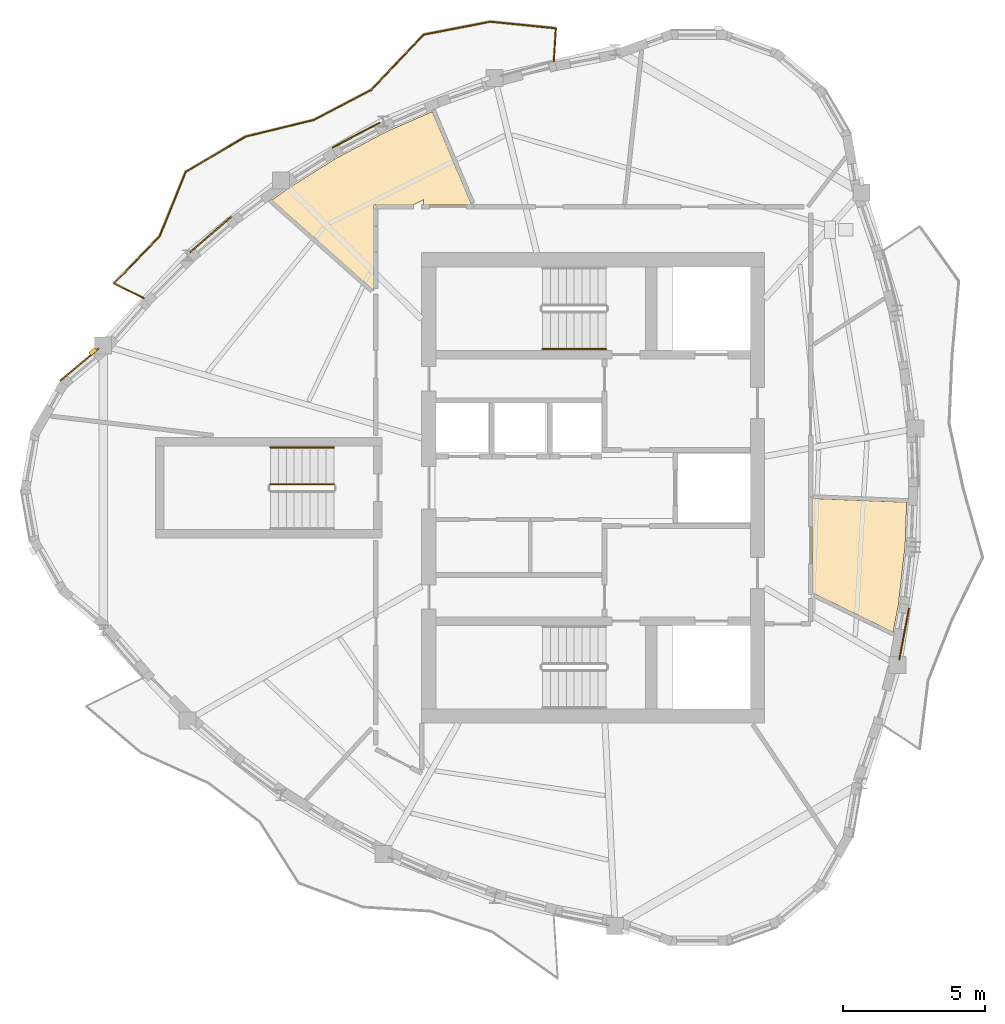
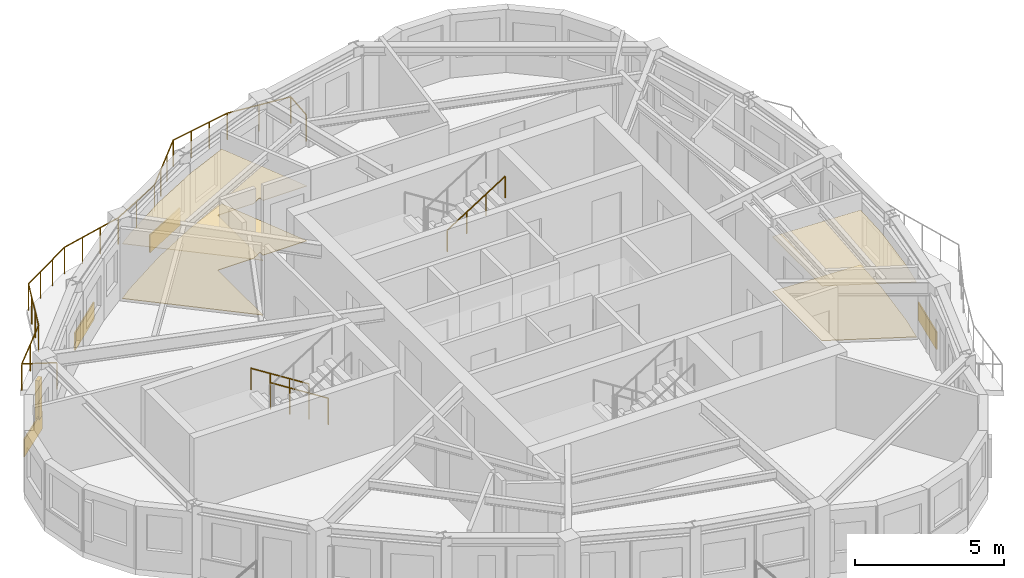
# One storey, part 9 of 11: 8 coverings, 4 railings, 1 shading device.
"""IFC4 building model written with IfcOpenShell, lengths in metres."""

from ifc_helpers import new_model, si_unit, direction, frame, origin, origin_2d, place, context, subcontext, project, spatial, polyline, rectangle, circle, outline, extrude, source, transform, mapped, material, layer, layer_set, type_object, element, save


model = new_model("IFC4")

# Units and contexts
model_context = context("Model", 3, precision=1e-05, world=origin(), true_north=direction((0.0, 1.0)))
body_context = subcontext(model_context, "Body", "Model", "MODEL_VIEW")
ifc_project = project(units=[si_unit("LENGTHUNIT", "METRE"), si_unit("AREAUNIT", "SQUARE_METRE"), si_unit("VOLUMEUNIT", "CUBIC_METRE"), si_unit("PLANEANGLEUNIT", "RADIAN"), si_unit("MASSUNIT", "GRAM", prefix="KILO")], contexts=[model_context])

# Site, building, storey
site_placement = place(None, origin())
site = spatial("IfcSite", under=ifc_project, at=site_placement, CompositionType="ELEMENT")
building_placement = place(site_placement, origin())
building = spatial("IfcBuilding", under=site, at=building_placement, Name="Qafzar Sky-Pleat Residences", CompositionType="ELEMENT")
storey_placement = place(building_placement, frame((0.0, 0.0, 230.800048828125)))
storey = spatial("IfcBuildingStorey", under=building, at=storey_placement, Name="L69", CompositionType="ELEMENT", Elevation=230.800048828125)

# Coverings
ifc_material_1 = material(Name="Perforated acoustic gypsum board ceiling")
ifc_layer_1 = layer(ifc_material_1, 0.02001953125)
ifc_layer_set_1 = layer_set([ifc_layer_1], Name="Perforated acoustic gypsum board ceiling")
covering_type_1 = type_object("IfcCoveringType", Name="COV-CEIL-ACOUSTIC", PredefinedType="CEILING", material=ifc_layer_set_1)
covering_1_placement = place(storey_placement, frame((0.0, 0.0, 2.239990234375)))
element("IfcCovering", 1, at=covering_1_placement, inside=storey, type_object=covering_type_1, Name="L69 Co-Living Lounge Acoustic Ceiling", PredefinedType="CEILING", context=body_context, shape_type="SweptSolid", body=[
    extrude(outline(polyline([(19.53955078125, 36.53759765625), (21.282958984375, 37.634521484375), (23.1044921875, 38.595703125), (24.669677734375, 39.276123046875), (26.063720703125, 35.97998046875), (24.360107421875, 35.97998046875), (24.360107421875, 36.17138671875), (23.997314453125, 35.97998046875), (22.6201171875, 35.97998046875), (22.6201171875, 32.951171875), (19.018798828125, 36.152099609375), (19.53955078125, 36.53759765625)])), origin(), (0.0, 0.0, 1.0), 0.02001953125),
])
covering_2_placement = place(storey_placement, frame((0.0, 0.0, 2.239990234375)))
element("IfcCovering", 2, at=covering_2_placement, inside=storey, type_object=covering_type_1, Name="L69 Communal Kitchen Acoustic Ceiling", PredefinedType="CEILING", context=body_context, shape_type="SweptSolid", body=[
    extrude(outline(polyline([(41.35595703125, 23.941650390625), (41.12109375, 21.883056640625), (40.935791015625, 20.906982421875), (38.080078125, 22.299072265625), (38.080078125, 25.626220703125), (41.414794921875, 25.49072265625), (41.35595703125, 23.941650390625)])), origin(), (0.0, 0.0, 1.0), 0.02001953125),
])
ifc_material_2 = material(Name="Honed porcelain and Riyadh stone tile flooring", Category="masonry")
ifc_layer_2 = layer(ifc_material_2, 0.02001953125)
ifc_layer_set_2 = layer_set([ifc_layer_2], Name="Honed porcelain and Riyadh stone tile flooring")
covering_type_2 = type_object("IfcCoveringType", Name="COV-FLR-PORCELAIN", PredefinedType="FLOORING", material=ifc_layer_set_2)
covering_3_placement = place(storey_placement, origin())
element("IfcCovering", 3, at=covering_3_placement, inside=storey, type_object=covering_type_2, Name="L69 Co-Living Lounge Honed Stone Flooring", PredefinedType="FLOORING", context=body_context, shape_type="SweptSolid", body=[
    extrude(outline(polyline([(19.53955078125, 36.53759765625), (21.282958984375, 37.634521484375), (23.1044921875, 38.595703125), (24.669677734375, 39.276123046875), (26.063720703125, 35.97998046875), (24.360107421875, 35.97998046875), (24.360107421875, 36.17138671875), (23.997314453125, 35.97998046875), (22.6201171875, 35.97998046875), (22.6201171875, 32.951171875), (19.018798828125, 36.152099609375), (19.53955078125, 36.53759765625)])), origin(), (0.0, 0.0, 1.0), 0.02001953125),
])
covering_4_placement = place(storey_placement, origin())
element("IfcCovering", 4, at=covering_4_placement, inside=storey, type_object=covering_type_2, Name="L69 Communal Kitchen Honed Stone Flooring", PredefinedType="FLOORING", context=body_context, shape_type="SweptSolid", body=[
    extrude(outline(polyline([(41.35595703125, 23.941650390625), (41.12109375, 21.883056640625), (40.935791015625, 20.906982421875), (38.080078125, 22.299072265625), (38.080078125, 25.626220703125), (41.414794921875, 25.49072265625), (41.35595703125, 23.941650390625)])), origin(), (0.0, 0.0, 1.0), 0.02001953125),
])

# Shading device
ifc_material_3 = material(Name="Honed Riyadh limestone solar fin", Category="masonry")
ifc_layer_3 = layer(ifc_material_3, 0.139892578125)
ifc_layer_set_3 = layer_set([ifc_layer_3], Name="Honed Riyadh limestone solar fin")
shading_device_type = type_object("IfcShadingDeviceType", Name="SHD-FIN-STONE", PredefinedType="SHUTTER", material=ifc_layer_set_3)
shared_shape_1 = source(origin(), body_context, "Body", "SweptSolid", [
    extrude(rectangle(XDim=0.139892578125, YDim=0.280029296875, at=origin_2d()), origin(), (0.0, 0.0, 1.0), 1.60009765625),
])
shading_device_placement = place(storey_placement, frame((12.6982421875, 30.808349609375, 0.599853515625), z_axis=(0.0, 0.0, 1.0), x_axis=(-0.642754210861, 0.76607246682, 0.0)))
element("IfcShadingDevice", 5, at=shading_device_placement, inside=storey, type_object=shading_device_type, Name="L69 Limestone Solar Fin 1", PredefinedType="SHUTTER", context=body_context, shape_type="MappedRepresentation", body=[
    mapped(shared_shape_1, transform((0.0, 0.0, 0.0), x_axis=(1.0, 0.0, 0.0), y_axis=(0.0, 1.0, 0.0), z_axis=(0.0, 0.0, 1.0), scale=1.0)),
])

# Covering
ifc_material_4 = material(Name="Honed Riyadh Tuwaiq limestone cladding", Category="masonry")
ifc_layer_4 = layer(ifc_material_4, 0.044921875)
ifc_layer_set_4 = layer_set([ifc_layer_4], Name="Honed Riyadh Tuwaiq limestone cladding")
covering_type_3 = type_object("IfcCoveringType", Name="COV-CLAD-STONE", PredefinedType="CLADDING", material=ifc_layer_set_4)
shared_shape_2 = source(origin(), body_context, "Body", "SweptSolid", [
    extrude(rectangle(XDim=1.76611328125, YDim=0.044921875, at=origin_2d()), origin(), (0.0, 0.0, 1.0), 0.719970703125),
])
covering_5_placement = place(storey_placement, frame((12.22021484375, 30.351318359375, 0.02001953125), z_axis=(0.0, 0.0, 1.0), x_axis=(-0.76607417096, -0.642752179762, 0.0)))
element("IfcCovering", 6, at=covering_5_placement, inside=storey, type_object=covering_type_3, Name="L69 Riyadh Limestone Spandrel Cladding 1", PredefinedType="CLADDING", context=body_context, shape_type="MappedRepresentation", body=[
    mapped(shared_shape_2, transform((0.0, 0.0, 0.0), x_axis=(1.0, 0.0, 0.0), y_axis=(0.0, 1.0, 0.0), z_axis=(0.0, 0.0, 1.0), scale=1.0)),
])

# Railing
ifc_material_5 = material(Name="Laminated glass and bronze steel balustrade", Category="steel")
railing_type_1 = type_object("IfcRailingType", Name="RAIL-BAL-1100", PredefinedType="BALUSTRADE", material=ifc_material_5)
shared_shape_3 = source(origin(), body_context, "Body", "SweptSolid", [
    extrude(circle(Radius=0.02392578125, at=origin_2d()), frame((0.0, 0.0, 1.076171875), z_axis=(0.063836302809, 0.997960383203, 0.0), x_axis=(-0.997960383203, 0.063836302809, 0.0)), (0.0, 0.0, 1.0), 1.177978515625),
    extrude(circle(Radius=0.02392578125, at=origin_2d()), frame((0.0751953125, 1.175537109375, 1.076171875), z_axis=(-0.994932736042, 0.10054278071, 0.0), x_axis=(-0.10054278071, -0.994932736042, 0.0)), (0.0, 0.0, 1.0), 2.326171875),
    extrude(circle(Radius=0.02392578125, at=origin_2d()), frame((-2.2392578125, 1.409423828125, 1.076171875), z_axis=(-0.981652948308, -0.190676398848, 0.0), x_axis=(0.190676398848, -0.981652948308, 0.0)), (0.0, 0.0, 1.0), 2.400634765625),
    extrude(circle(Radius=0.02392578125, at=origin_2d()), frame((-4.595947265625, 0.95166015625, 1.076171875), z_axis=(-0.687908056889, -0.725797840495, 0.0), x_axis=(0.725797840495, -0.687908056889, 0.0)), (0.0, 0.0, 1.0), 2.693359375),
    extrude(circle(Radius=0.02392578125, at=origin_2d()), frame((-6.44873046875, -1.003173828125, 1.076171875), z_axis=(-0.88578094694, -0.464103559605, 0.0), x_axis=(0.464103559605, -0.88578094694, 0.0)), (0.0, 0.0, 1.0), 2.267333984375),
    extrude(circle(Radius=0.02392578125, at=origin_2d()), frame((-8.45703125, -2.055419921875, 1.076171875), z_axis=(-0.971598054586, -0.236637318117, 0.0), x_axis=(0.236637318117, -0.971598054586, 0.0)), (0.0, 0.0, 1.0), 2.4853515625),
    extrude(circle(Radius=0.02392578125, at=origin_2d()), frame((-10.871826171875, -2.6435546875, 1.076171875), z_axis=(-0.861050876523, -0.508518817783, 0.0), x_axis=(0.508518817783, -0.861050876523, 0.0)), (0.0, 0.0, 1.0), 2.4619140625),
    extrude(circle(Radius=0.02392578125, at=origin_2d()), frame((-12.99169921875, -3.8955078125, 1.076171875), z_axis=(-0.374628309725, -0.927175080312, 0.0), x_axis=(0.927175080312, -0.374628309725, 0.0)), (0.0, 0.0, 1.0), 2.442626953125),
    extrude(circle(Radius=0.02392578125, at=origin_2d()), frame((-13.90673828125, -6.16015625, 1.076171875), z_axis=(-0.695284786917, -0.718734349452, 0.0), x_axis=(0.718734349452, -0.695284786917, 0.0)), (0.0, 0.0, 1.0), 2.32177734375),
    extrude(circle(Radius=0.02392578125, at=origin_2d()), frame((-15.52099609375, -7.828857421875, 1.076171875), z_axis=(0.896038070146, -0.443977225596, 0.0), x_axis=(0.443977225596, 0.896038070146, 0.0)), (0.0, 0.0, 1.0), 1.177978515625),
    extrude(circle(Radius=0.02099609375, at=origin_2d()), origin(), (0.0, 0.0, 1.0), 1.052001953125),
    extrude(circle(Radius=0.02099609375, at=origin_2d()), frame((0.0751953125, 1.175537109375, 0.0)), (0.0, 0.0, 1.0), 1.052001953125),
    extrude(circle(Radius=0.02099609375, at=origin_2d()), frame((-1.08203125, 1.29248046875, 0.0)), (0.0, 0.0, 1.0), 1.052001953125),
    extrude(circle(Radius=0.02099609375, at=origin_2d()), frame((-2.2392578125, 1.409423828125, 0.0)), (0.0, 0.0, 1.0), 1.052001953125),
    extrude(circle(Radius=0.02099609375, at=origin_2d()), frame((-3.02490234375, 1.2568359375, 0.0)), (0.0, 0.0, 1.0), 1.052001953125),
    extrude(circle(Radius=0.02099609375, at=origin_2d()), frame((-3.810302734375, 1.104248046875, 0.0)), (0.0, 0.0, 1.0), 1.052001953125),
    extrude(circle(Radius=0.02099609375, at=origin_2d()), frame((-4.595947265625, 0.95166015625, 0.0)), (0.0, 0.0, 1.0), 1.052001953125),
    extrude(circle(Radius=0.02099609375, at=origin_2d()), frame((-5.213623046875, 0.300048828125, 0.0)), (0.0, 0.0, 1.0), 1.052001953125),
    extrude(circle(Radius=0.02099609375, at=origin_2d()), frame((-5.8310546875, -0.3515625, 0.0)), (0.0, 0.0, 1.0), 1.052001953125),
    extrude(circle(Radius=0.02099609375, at=origin_2d()), frame((-6.44873046875, -1.003173828125, 0.0)), (0.0, 0.0, 1.0), 1.052001953125),
    extrude(circle(Radius=0.02099609375, at=origin_2d()), frame((-7.452880859375, -1.529296875, 0.0)), (0.0, 0.0, 1.0), 1.052001953125),
    extrude(circle(Radius=0.02099609375, at=origin_2d()), frame((-8.45703125, -2.055419921875, 0.0)), (0.0, 0.0, 1.0), 1.052001953125),
    extrude(circle(Radius=0.02099609375, at=origin_2d()), frame((-9.261962890625, -2.25146484375, 0.0)), (0.0, 0.0, 1.0), 1.052001953125),
    extrude(circle(Radius=0.02099609375, at=origin_2d()), frame((-10.06689453125, -2.447509765625, 0.0)), (0.0, 0.0, 1.0), 1.052001953125),
    extrude(circle(Radius=0.02099609375, at=origin_2d()), frame((-10.871826171875, -2.6435546875, 0.0)), (0.0, 0.0, 1.0), 1.052001953125),
    extrude(circle(Radius=0.02099609375, at=origin_2d()), frame((-11.578369140625, -3.060791015625, 0.0)), (0.0, 0.0, 1.0), 1.052001953125),
    extrude(circle(Radius=0.02099609375, at=origin_2d()), frame((-12.28515625, -3.478271484375, 0.0)), (0.0, 0.0, 1.0), 1.052001953125),
    extrude(circle(Radius=0.02099609375, at=origin_2d()), frame((-12.99169921875, -3.8955078125, 0.0)), (0.0, 0.0, 1.0), 1.052001953125),
    extrude(circle(Radius=0.02099609375, at=origin_2d()), frame((-13.296630859375, -4.650390625, 0.0)), (0.0, 0.0, 1.0), 1.052001953125),
    extrude(circle(Radius=0.02099609375, at=origin_2d()), frame((-13.601806640625, -5.4052734375, 0.0)), (0.0, 0.0, 1.0), 1.052001953125),
    extrude(circle(Radius=0.02099609375, at=origin_2d()), frame((-13.90673828125, -6.16015625, 0.0)), (0.0, 0.0, 1.0), 1.052001953125),
    extrude(circle(Radius=0.02099609375, at=origin_2d()), frame((-14.7138671875, -6.99462890625, 0.0)), (0.0, 0.0, 1.0), 1.052001953125),
    extrude(circle(Radius=0.02099609375, at=origin_2d()), frame((-15.52099609375, -7.828857421875, 0.0)), (0.0, 0.0, 1.0), 1.052001953125),
    extrude(circle(Radius=0.02099609375, at=origin_2d()), frame((-14.465576171875, -8.351806640625, 0.0)), (0.0, 0.0, 1.0), 1.052001953125),
])
railing_1_placement = place(storey_placement, frame((28.959716796875, 41.041015625, 0.0)))
element("IfcRailing", 7, at=railing_1_placement, inside=storey, type_object=railing_type_1, Name="L69 Pleated Balcony 2 Balustrade", PredefinedType="BALUSTRADE", context=body_context, shape_type="MappedRepresentation", body=[
    mapped(shared_shape_3, transform((0.0, 0.0, 0.0), x_axis=(1.0, 0.0, 0.0), y_axis=(0.0, 1.0, 0.0), z_axis=(0.0, 0.0, 1.0), scale=1.0)),
])

# Coverings
shared_shape_4 = source(origin(), body_context, "Body", "SweptSolid", [
    extrude(rectangle(XDim=1.864501953125, YDim=0.044921875, at=origin_2d()), origin(), (0.0, 0.0, 1.0), 0.719970703125),
])
covering_6_placement = place(storey_placement, frame((41.32275390625, 20.843017578125, 0.02001953125), z_axis=(0.0, 0.0, 1.0), x_axis=(0.186666236581, 0.982423389441, 0.0)))
element("IfcCovering", 8, at=covering_6_placement, inside=storey, type_object=covering_type_3, Name="L69 Riyadh Limestone Spandrel Cladding 25", PredefinedType="CLADDING", context=body_context, shape_type="MappedRepresentation", body=[
    mapped(shared_shape_4, transform((0.0, 0.0, 0.0), x_axis=(1.0, 0.0, 0.0), y_axis=(0.0, 1.0, 0.0), z_axis=(0.0, 0.0, 1.0), scale=1.0)),
])
shared_shape_5 = source(origin(), body_context, "Body", "SweptSolid", [
    extrude(rectangle(XDim=1.895263671875, YDim=0.044921875, at=origin_2d()), origin(), (0.0, 0.0, 1.0), 0.719970703125),
])
covering_7_placement = place(storey_placement, frame((21.985107421875, 38.4482421875, 0.02001953125), z_axis=(0.0, 0.0, 1.0), x_axis=(-0.884380941117, -0.466765841713, 0.0)))
element("IfcCovering", 9, at=covering_7_placement, inside=storey, type_object=covering_type_3, Name="L69 Riyadh Limestone Spandrel Cladding 43", PredefinedType="CLADDING", context=body_context, shape_type="MappedRepresentation", body=[
    mapped(shared_shape_5, transform((0.0, 0.0, 0.0), x_axis=(1.0, 0.0, 0.0), y_axis=(0.0, 1.0, 0.0), z_axis=(0.0, 0.0, 1.0), scale=1.0)),
])
shared_shape_6 = source(origin(), body_context, "Body", "SweptSolid", [
    extrude(rectangle(XDim=1.927490234375, YDim=0.044921875, at=origin_2d()), origin(), (0.0, 0.0, 1.0), 0.719970703125),
])
covering_8_placement = place(storey_placement, frame((16.84619140625, 34.9365234375, 0.02001953125), z_axis=(0.0, 0.0, 1.0), x_axis=(-0.757470479573, -0.652869414643, 0.0)))
element("IfcCovering", 10, at=covering_8_placement, inside=storey, type_object=covering_type_3, Name="L69 Riyadh Limestone Spandrel Cladding 46", PredefinedType="CLADDING", context=body_context, shape_type="MappedRepresentation", body=[
    mapped(shared_shape_6, transform((0.0, 0.0, 0.0), x_axis=(1.0, 0.0, 0.0), y_axis=(0.0, 1.0, 0.0), z_axis=(0.0, 0.0, 1.0), scale=1.0)),
])

# Railings
ifc_material_6 = material(Name="Painted Steel S355 stair guardrail", Category="steel")
railing_type_2 = type_object("IfcRailingType", Name="RAIL-STAIR-GUARD", PredefinedType="GUARDRAIL", material=ifc_material_6)
shared_shape_7 = source(origin(), body_context, "Body", "SweptSolid", [
    extrude(circle(Radius=0.02392578125, at=origin_2d()), frame((0.0, 0.0, 1.076171875), z_axis=(-0.8442293374, 0.0, 0.53598211339), x_axis=(0.0, -1.0, 0.0)), (0.0, 0.0, 1.0), 2.6533203125),
    extrude(circle(Radius=0.02099609375, at=origin_2d()), origin(), (0.0, 0.0, 1.0), 1.052001953125),
    extrude(circle(Radius=0.02099609375, at=origin_2d()), frame((-0.74658203125, 0.0, 0.47412109375)), (0.0, 0.0, 1.0), 1.052001953125),
    extrude(circle(Radius=0.02099609375, at=origin_2d()), frame((-1.493408203125, 0.0, 0.947998046875)), (0.0, 0.0, 1.0), 1.052001953125),
    extrude(circle(Radius=0.02099609375, at=origin_2d()), frame((-2.239990234375, 0.0, 1.422119140625)), (0.0, 0.0, 1.0), 1.052001953125),
])
railing_2_placement = place(storey_placement, frame((21.199951171875, 26.125, 0.177734375)))
element("IfcRailing", 11, at=railing_2_placement, inside=storey, type_object=railing_type_2, Name="L69 ST3 stair guard 1", PredefinedType="GUARDRAIL", context=body_context, shape_type="MappedRepresentation", body=[
    mapped(shared_shape_7, transform((0.0, 0.0, 0.0), x_axis=(1.0, 0.0, 0.0), y_axis=(0.0, 1.0, 0.0), z_axis=(0.0, 0.0, 1.0), scale=1.0)),
])
ifc_material_7 = material(Name="Brushed stainless steel handrail", Category="steel")
railing_type_3 = type_object("IfcRailingType", Name="RAIL-STAIR-HAND", PredefinedType="HANDRAIL", material=ifc_material_7)
shared_shape_8 = source(origin(), body_context, "Body", "SweptSolid", [
    extrude(circle(Radius=0.02392578125, at=origin_2d()), frame((0.0, 0.0, 0.8759765625), z_axis=(-0.8442293374, 0.0, 0.53598211339), x_axis=(0.0, -1.0, 0.0)), (0.0, 0.0, 1.0), 2.6533203125),
    extrude(circle(Radius=0.02099609375, at=origin_2d()), origin(), (0.0, 0.0, 1.0), 0.851806640625),
    extrude(circle(Radius=0.02099609375, at=origin_2d()), frame((-0.74658203125, 0.0, 0.47412109375)), (0.0, 0.0, 1.0), 0.851806640625),
    extrude(circle(Radius=0.02099609375, at=origin_2d()), frame((-1.493408203125, 0.0, 0.947998046875)), (0.0, 0.0, 1.0), 0.851806640625),
    extrude(circle(Radius=0.02099609375, at=origin_2d()), frame((-2.239990234375, 0.0, 1.422119140625)), (0.0, 0.0, 1.0), 0.851806640625),
])
railing_3_placement = place(storey_placement, frame((21.199951171875, 27.425048828125, 0.177734375)))
element("IfcRailing", 12, at=railing_3_placement, inside=storey, type_object=railing_type_3, Name="L69 ST3 stair handrail 1", PredefinedType="HANDRAIL", context=body_context, shape_type="MappedRepresentation", body=[
    mapped(shared_shape_8, transform((0.0, 0.0, 0.0), x_axis=(1.0, 0.0, 0.0), y_axis=(0.0, 1.0, 0.0), z_axis=(0.0, 0.0, 1.0), scale=1.0)),
])
shared_shape_9 = source(origin(), body_context, "Body", "SweptSolid", [
    extrude(circle(Radius=0.02392578125, at=origin_2d()), frame((0.0, 0.0, 0.8759765625), z_axis=(0.8442293374, 0.0, 0.53598211339), x_axis=(0.0, 1.0, 0.0)), (0.0, 0.0, 1.0), 2.6533203125),
    extrude(circle(Radius=0.02099609375, at=origin_2d()), origin(), (0.0, 0.0, 1.0), 0.851806640625),
    extrude(circle(Radius=0.02099609375, at=origin_2d()), frame((0.74658203125, 0.0, 0.47412109375)), (0.0, 0.0, 1.0), 0.851806640625),
    extrude(circle(Radius=0.02099609375, at=origin_2d()), frame((1.493408203125, 0.0, 0.947998046875)), (0.0, 0.0, 1.0), 0.851806640625),
    extrude(circle(Radius=0.02099609375, at=origin_2d()), frame((2.239990234375, 0.0, 1.422119140625)), (0.0, 0.0, 1.0), 0.851806640625),
])
railing_4_placement = place(storey_placement, frame((28.56005859375, 30.89990234375, 1.77783203125)))
element("IfcRailing", 13, at=railing_4_placement, inside=storey, type_object=railing_type_3, Name="L69 ST2 stair handrail 2", PredefinedType="HANDRAIL", context=body_context, shape_type="MappedRepresentation", body=[
    mapped(shared_shape_9, transform((0.0, 0.0, 0.0), x_axis=(1.0, 0.0, 0.0), y_axis=(0.0, 1.0, 0.0), z_axis=(0.0, 0.0, 1.0), scale=1.0)),
])

save(model, "model.ifc")
